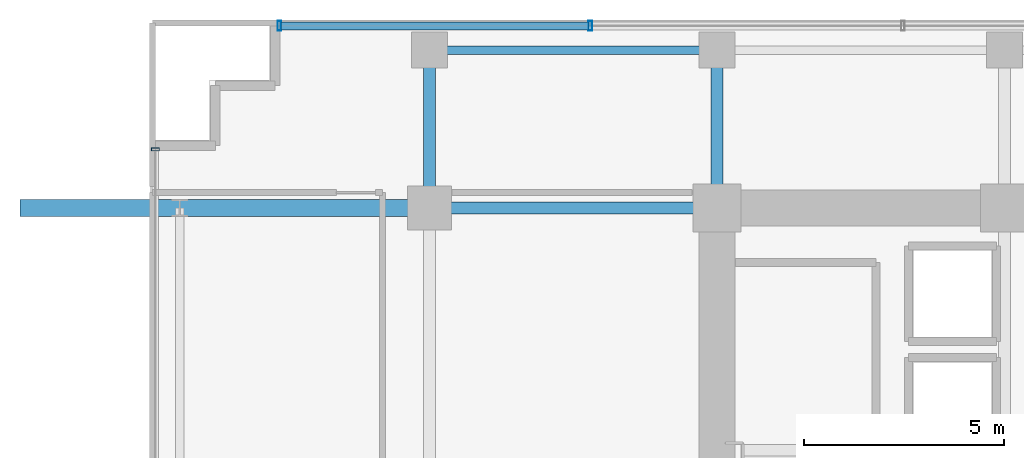
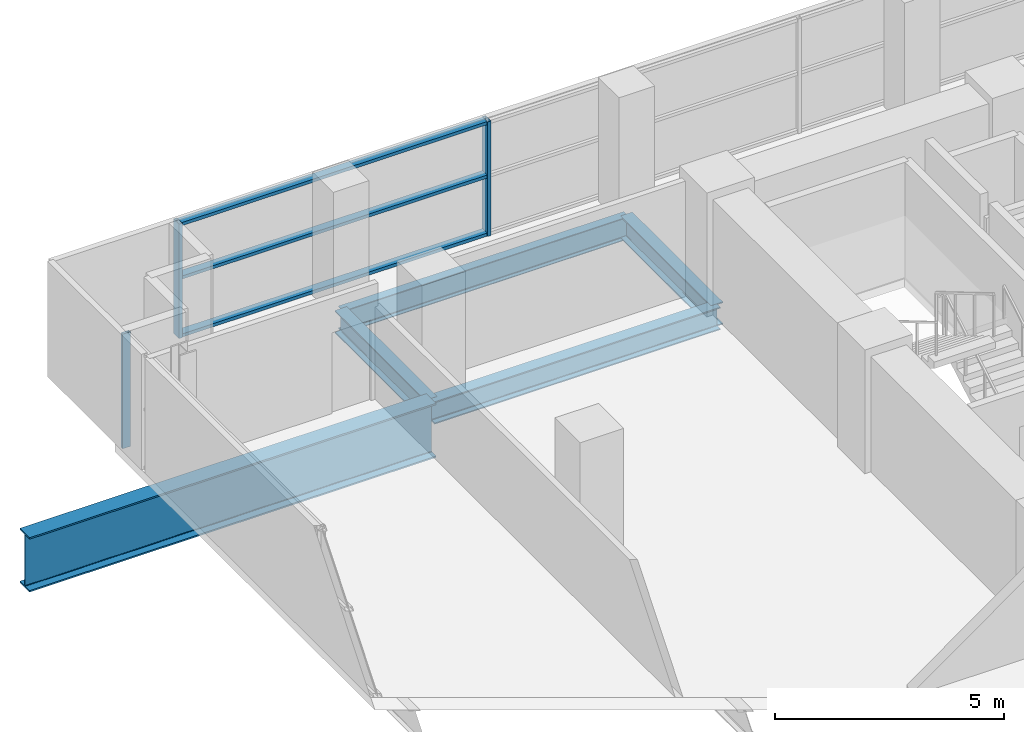
# One storey, part 18 of 31: 6 members, 5 beams, 2 elements without a shape of their own.
"""IFC4 building model written with IfcOpenShell, lengths in metres."""

from ifc_helpers import new_model, si_unit, direction, frame, origin, origin_2d, place, context, subcontext, project, spatial, hollow_rectangle, i_section, extrude, source, transform, mapped, material, layer, layer_set, material_profile, profile_set, type_object, element, aggregate, save


model = new_model("IFC4")

# Units and contexts
model_context = context("Model", 3, precision=1e-05, world=origin(), true_north=direction((0.0, 1.0)))
body_context = subcontext(model_context, "Body", "Model", "MODEL_VIEW")
ifc_project = project(units=[si_unit("LENGTHUNIT", "METRE"), si_unit("AREAUNIT", "SQUARE_METRE"), si_unit("VOLUMEUNIT", "CUBIC_METRE"), si_unit("PLANEANGLEUNIT", "RADIAN"), si_unit("MASSUNIT", "GRAM", prefix="KILO")], contexts=[model_context])

# Site, building, storey
site_placement = place(None, origin())
site = spatial("IfcSite", under=ifc_project, at=site_placement, CompositionType="ELEMENT")
building_placement = place(site_placement, origin())
building = spatial("IfcBuilding", under=site, at=building_placement, Name="Zarnakvel Exchange Tower", CompositionType="ELEMENT")
storey_placement = place(building_placement, frame((0.0, 0.0, 53.800048828125)))
storey = spatial("IfcBuildingStorey", under=building, at=storey_placement, Name="L14", CompositionType="ELEMENT", Elevation=53.800048828125)

# Beams
ifc_material_1 = material(Name="Steel S355", Category="steel")
ifc_material_profile_1 = material_profile(ifc_material_1, i_section(OverallWidth=0.300048828125, OverallDepth=0.60009765625, WebThickness=0.015380859375, FlangeThickness=0.030029296875, FilletRadius=0.027099609375, at=origin_2d()))
ifc_profile_set_1 = profile_set([ifc_material_profile_1], Name="Steel S355")
beam_type_1 = type_object("IfcBeamType", Name="G-04", PredefinedType="BEAM", material=ifc_profile_set_1)
beam_1_placement = place(storey_placement, frame((-21.60009765625, 13.5, -0.525146484375), z_axis=(1.0, 0.0, 0.0), x_axis=(0.0, 1.0, 0.0)))
element("IfcBeam", 1, at=beam_1_placement, inside=storey, type_object=beam_type_1, Name="L14 Tower E-W Frame Beam", PredefinedType="BEAM", context=body_context, shape_type="SweptSolid", body=[
    extrude(i_section(OverallWidth=0.300048828125, OverallDepth=0.60009765625, WebThickness=0.015380859375, FlangeThickness=0.030029296875, FilletRadius=0.027099609375, at=origin_2d()), origin(), (0.0, 0.0, 1.0), 7.2001953125),
])
for number, where, z_axis, x_axis, name in (
    (2, (-21.60009765625, 13.5, -0.525146484375), (0.0, 1.0, 0.0), (-1.0, 0.0, 0.0), "L14 Tower N-S Frame Beam"),
    (3, (-14.39990234375, 13.5, -0.525146484375), (0.0, 1.0, 0.0), (-1.0, 0.0, 0.0), "L14 Tower N-S Frame Beam"),
):
    element("IfcBeam", number, at=place(storey_placement, frame(where, z_axis=z_axis, x_axis=x_axis)), inside=storey, type_object=beam_type_1, Name=name, PredefinedType="BEAM", context=body_context, shape_type="SweptSolid", body=[
        extrude(i_section(OverallWidth=0.300048828125, OverallDepth=0.60009765625, WebThickness=0.015380859375, FlangeThickness=0.030029296875, FilletRadius=0.027099609375, at=origin_2d()), origin(), (0.0, 0.0, 1.0), 3.949951171875),
    ])
ifc_material_profile_2 = material_profile(ifc_material_1, i_section(OverallWidth=0.219970703125, OverallDepth=0.60009765625, WebThickness=0.011962890625, FlangeThickness=0.01904296875, FilletRadius=0.02392578125, at=origin_2d()))
ifc_profile_set_2 = profile_set([ifc_material_profile_2], Name="Steel S355")
beam_type_2 = type_object("IfcBeamType", Name="SP-01", PredefinedType="SPANDREL", material=ifc_profile_set_2)
beam_2_placement = place(storey_placement, frame((-21.60009765625, 17.449951171875, -0.525146484375), z_axis=(1.0, 0.0, 0.0), x_axis=(0.0, 1.0, 0.0)))
element("IfcBeam", 4, at=beam_2_placement, inside=storey, type_object=beam_type_2, Name="L14 Tower E-W Frame Beam", PredefinedType="SPANDREL", context=body_context, shape_type="SweptSolid", body=[
    extrude(i_section(OverallWidth=0.219970703125, OverallDepth=0.60009765625, WebThickness=0.011962890625, FlangeThickness=0.01904296875, FilletRadius=0.02392578125, at=origin_2d()), origin(), (0.0, 0.0, 1.0), 7.2001953125),
])
ifc_material_2 = material(Name="Steel S460", Category="steel")
ifc_material_profile_3 = material_profile(ifc_material_2, i_section(OverallWidth=0.419921875, OverallDepth=1.449951171875, WebThickness=0.02392578125, FlangeThickness=0.0400390625, FilletRadius=0.030029296875, at=origin_2d()))
ifc_profile_set_3 = profile_set([ifc_material_profile_3], Name="Steel S460")
beam_type_3 = type_object("IfcBeamType", Name="TG-01", PredefinedType="BEAM", material=ifc_profile_set_3)
beam_3_placement = place(storey_placement, frame((-31.85009765625, 13.5, -0.949951171875), z_axis=(1.0, 0.0, 0.0), x_axis=(0.0, 1.0, 0.0)))
element("IfcBeam", 5, at=beam_3_placement, inside=storey, type_object=beam_type_3, Name="L14 Setback E-W Transfer Girder TW-F", PredefinedType="BEAM", context=body_context, shape_type="SweptSolid", body=[
    extrude(i_section(OverallWidth=0.419921875, OverallDepth=1.449951171875, WebThickness=0.02392578125, FlangeThickness=0.0400390625, FilletRadius=0.030029296875, at=origin_2d()), origin(), (0.0, 0.0, 1.0), 10.25),
])

# Curtain wall, members
ifc_material_3 = material(Name="Architectural Bronze Anodised Aluminium", Category="aluminium")
ifc_layer_1 = layer(ifc_material_3, 0.239990234375)
ifc_layer_set_1 = layer_set([ifc_layer_1], Name="Architectural Bronze Anodised Aluminium")
curtain_wall_type_1 = type_object("IfcCurtainWallType", Name="CW-02", PredefinedType="NOTDEFINED", material=ifc_layer_set_1)
curtain_wall_1_placement = place(storey_placement, origin())
curtain_wall_1 = element("IfcCurtainWall", 6, at=curtain_wall_1_placement, inside=storey, type_object=curtain_wall_type_1, Name="L14 Curtain Wall CW-L14-N1 (CW-02)", PredefinedType="NOTDEFINED")
ifc_material_profile_4 = material_profile(ifc_material_3, hollow_rectangle(XDim=0.199951171875, YDim=0.0849609375, WallThickness=0.0048828125, at=origin_2d()))
ifc_profile_set_4 = profile_set([ifc_material_profile_4], Name="Architectural Bronze Anodised Aluminium")
member_type_1 = type_object("IfcMemberType", Name="CWT-02", PredefinedType="USERDEFINED", material=ifc_profile_set_4)
shared_shape_1 = source(origin(), body_context, "Body", "SweptSolid", [
    extrude(hollow_rectangle(XDim=0.199951171875, YDim=0.0849609375, WallThickness=0.0048828125, at=origin_2d()), origin(), (0.0, 0.0, 1.0), 7.693603515625),
])
member_1_placement = place(storey_placement, frame((-25.31005859375, 18.06005859375, 0.04248046875), z_axis=(1.0, 0.0, 0.0), x_axis=(0.0, 1.0, 0.0)))
member_1 = element("IfcMember", 7, at=member_1_placement, type_object=member_type_1, Name="CW-02 transom 1.1", ObjectType="TRANSOM", PredefinedType="USERDEFINED", context=body_context, shape_type="MappedRepresentation", body=[
    mapped(shared_shape_1, transform((0.0, 0.0, 0.0), x_axis=(1.0, 0.0, 0.0), y_axis=(0.0, 1.0, 0.0), z_axis=(0.0, 0.0, 1.0), scale=1.0)),
])
member_2_placement = place(storey_placement, frame((-25.31005859375, 18.06005859375, 1.588623046875), z_axis=(1.0, 0.0, 0.0), x_axis=(0.0, 1.0, 0.0)))
member_2 = element("IfcMember", 8, at=member_2_placement, type_object=member_type_1, Name="CW-02 transom 1.2", ObjectType="TRANSOM", PredefinedType="USERDEFINED", context=body_context, shape_type="MappedRepresentation", body=[
    mapped(shared_shape_1, transform((0.0, 0.0, 0.0), x_axis=(1.0, 0.0, 0.0), y_axis=(0.0, 1.0, 0.0), z_axis=(0.0, 0.0, 1.0), scale=1.0)),
])
member_3_placement = place(storey_placement, frame((-25.31005859375, 18.06005859375, 3.012451171875), z_axis=(1.0, 0.0, 0.0), x_axis=(0.0, 1.0, 0.0)))
member_3 = element("IfcMember", 9, at=member_3_placement, type_object=member_type_1, Name="CW-02 transom 1.3", ObjectType="TRANSOM", PredefinedType="USERDEFINED", context=body_context, shape_type="MappedRepresentation", body=[
    mapped(shared_shape_1, transform((0.0, 0.0, 0.0), x_axis=(1.0, 0.0, 0.0), y_axis=(0.0, 1.0, 0.0), z_axis=(0.0, 0.0, 1.0), scale=1.0)),
])
ifc_material_profile_5 = material_profile(ifc_material_3, hollow_rectangle(XDim=0.239990234375, YDim=0.090087890625, WallThickness=0.006103515625, at=origin_2d()))
ifc_profile_set_5 = profile_set([ifc_material_profile_5], Name="Architectural Bronze Anodised Aluminium")
member_type_2 = type_object("IfcMemberType", Name="CWM-02", PredefinedType="MULLION", material=ifc_profile_set_5)
shared_shape_2 = source(origin(), body_context, "Body", "SweptSolid", [
    extrude(hollow_rectangle(XDim=0.239990234375, YDim=0.090087890625, WallThickness=0.006103515625, at=origin_2d()), origin(), (0.0, 0.0, 1.0), 3.054931640625),
])
member_4_placement = place(storey_placement, frame((-25.35498046875, 18.06005859375, 0.0), z_axis=(0.0, 0.0, 1.0), x_axis=(0.0, 1.0, 0.0)))
member_4 = element("IfcMember", 10, at=member_4_placement, type_object=member_type_2, Name="CW-02 mullion 1", PredefinedType="MULLION", context=body_context, shape_type="MappedRepresentation", body=[
    mapped(shared_shape_2, transform((0.0, 0.0, 0.0), x_axis=(1.0, 0.0, 0.0), y_axis=(0.0, 1.0, 0.0), z_axis=(0.0, 0.0, 1.0), scale=1.0)),
])
member_5_placement = place(storey_placement, frame((-17.571533203125, 18.06005859375, 0.0), z_axis=(0.0, 0.0, 1.0), x_axis=(0.0, 1.0, 0.0)))
member_5 = element("IfcMember", 11, at=member_5_placement, type_object=member_type_2, Name="CW-02 mullion 2", PredefinedType="MULLION", context=body_context, shape_type="MappedRepresentation", body=[
    mapped(shared_shape_2, transform((0.0, 0.0, 0.0), x_axis=(1.0, 0.0, 0.0), y_axis=(0.0, 1.0, 0.0), z_axis=(0.0, 0.0, 1.0), scale=1.0)),
])
aggregate(curtain_wall_1, [member_4, member_5, member_1, member_2, member_3])

# Curtain wall, member
ifc_layer_2 = layer(ifc_material_3, 0.199951171875)
ifc_layer_set_2 = layer_set([ifc_layer_2], Name="Architectural Bronze Anodised Aluminium")
curtain_wall_type_2 = type_object("IfcCurtainWallType", Name="CW-04", PredefinedType="NOTDEFINED", material=ifc_layer_set_2)
curtain_wall_2_placement = place(storey_placement, origin())
curtain_wall_2 = element("IfcCurtainWall", 12, at=curtain_wall_2_placement, inside=storey, type_object=curtain_wall_type_2, Name="L14 Curtain Wall CW-L14-WN (CW-04)", PredefinedType="NOTDEFINED")
ifc_material_profile_6 = material_profile(ifc_material_3, hollow_rectangle(XDim=0.199951171875, YDim=0.074951171875, WallThickness=0.0048828125, at=origin_2d()))
ifc_profile_set_6 = profile_set([ifc_material_profile_6], Name="Architectural Bronze Anodised Aluminium")
member_type_3 = type_object("IfcMemberType", Name="CWM-04", PredefinedType="MULLION", material=ifc_profile_set_6)
shared_shape_3 = source(origin(), body_context, "Body", "SweptSolid", [
    extrude(hollow_rectangle(XDim=0.199951171875, YDim=0.074951171875, WallThickness=0.0048828125, at=origin_2d()), origin(), (0.0, 0.0, 1.0), 3.054931640625),
])
member_6_placement = place(storey_placement, frame((-28.4599609375, 14.96240234375, 0.0), z_axis=(0.0, 0.0, 1.0), x_axis=(-1.0, 0.0, 0.0)))
member_6 = element("IfcMember", 13, at=member_6_placement, type_object=member_type_3, Name="CW-04 mullion 3", PredefinedType="MULLION", context=body_context, shape_type="MappedRepresentation", body=[
    mapped(shared_shape_3, transform((0.0, 0.0, 0.0), x_axis=(1.0, 0.0, 0.0), y_axis=(0.0, 1.0, 0.0), z_axis=(0.0, 0.0, 1.0), scale=1.0)),
])
aggregate(curtain_wall_2, [member_6])

save(model, "model.ifc")
